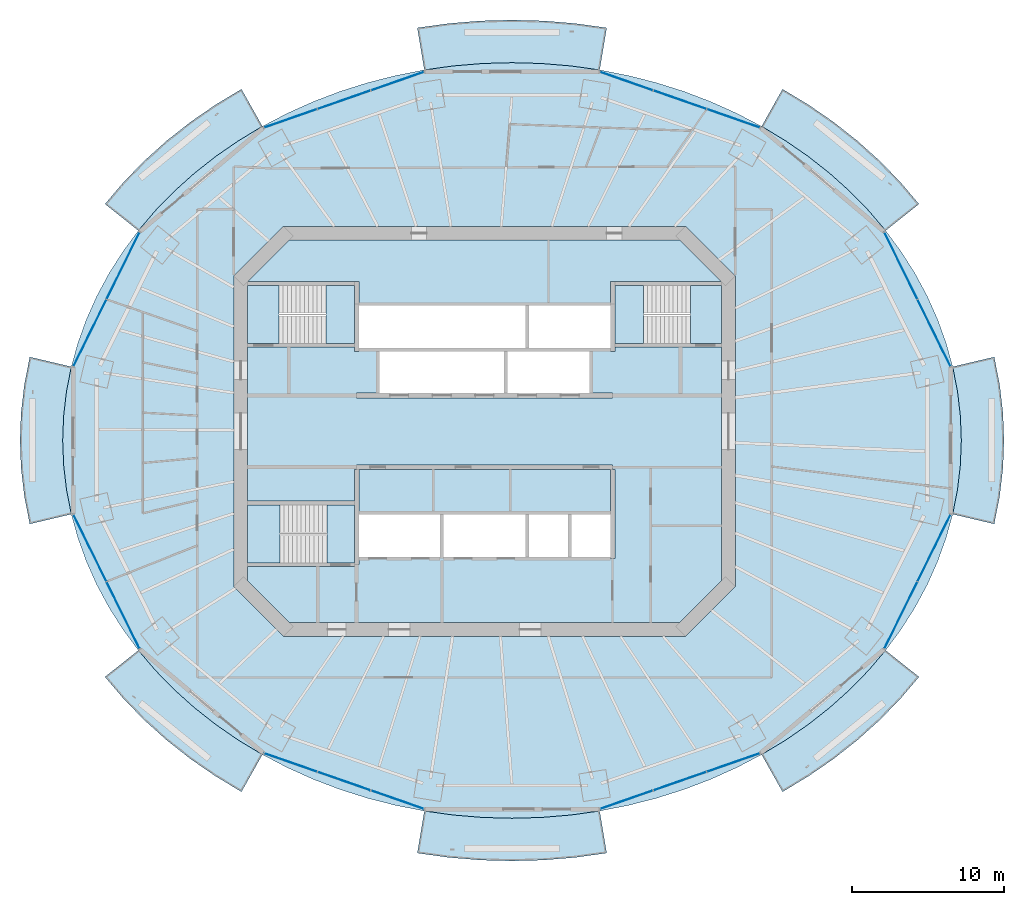
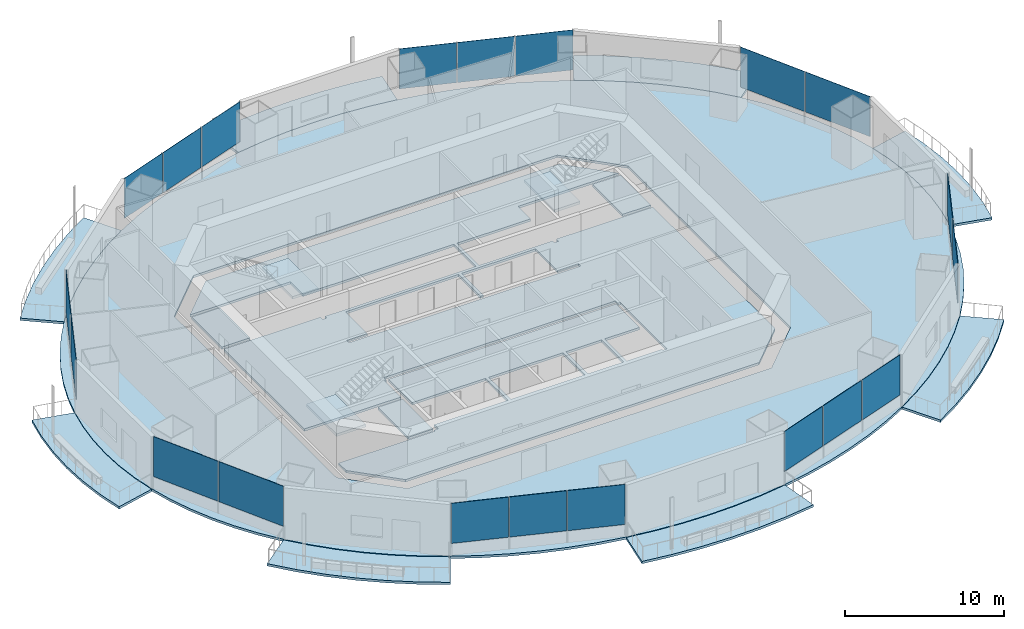
# One storey, part 9 of 18: 20 plates, 16 slabs, 11 elements without a shape of their own.
"""IFC4 building model written with IfcOpenShell, lengths in metres."""

from ifc_helpers import new_model, si_unit, direction, frame, origin, origin_2d, place, context, subcontext, project, spatial, polyline, rectangle, outline, extrude, material, layer, layer_set, type_object, element, aggregate, save


model = new_model("IFC4")

# Units and contexts
model_context = context("Model", 3, precision=1e-05, world=origin(), true_north=direction((0.0, 1.0)))
body_context = subcontext(model_context, "Body", "Model", "MODEL_VIEW")
ifc_project = project(units=[si_unit("LENGTHUNIT", "METRE"), si_unit("AREAUNIT", "SQUARE_METRE"), si_unit("VOLUMEUNIT", "CUBIC_METRE"), si_unit("PLANEANGLEUNIT", "RADIAN"), si_unit("MASSUNIT", "GRAM", prefix="KILO")], contexts=[model_context])

# Site, building, storey
site_placement = place(None, origin())
site = spatial("IfcSite", under=ifc_project, at=site_placement, CompositionType="ELEMENT")
building_placement = place(site_placement, origin())
building = spatial("IfcBuilding", under=site, at=building_placement, Name="Marenthal Gate Tower", CompositionType="ELEMENT")
storey_placement = place(building_placement, frame((0.0, 0.0, 260.64990234375)))
storey = spatial("IfcBuildingStorey", under=building, at=storey_placement, Name="L58", CompositionType="ELEMENT", Elevation=260.64990234375)

# Slabs
ifc_material_1 = material(Name="Concrete 40 MPa", Category="concrete")
ifc_layer_1 = layer(ifc_material_1, 0.179931640625)
ifc_layer_set_1 = layer_set([ifc_layer_1], Name="Balcony deck 180")
slab_type_1 = type_object("IfcSlabType", Name="Balcony deck 180", PredefinedType="USERDEFINED", material=ifc_layer_set_1)
slab_1_placement = place(storey_placement, frame((0.0, 0.0, -0.219970703125)))
element("IfcSlab", 1, at=slab_1_placement, inside=storey, type_object=slab_type_1, Name="Balcony deck L58 bay 2", ObjectType="BALCONY", PredefinedType="USERDEFINED", context=body_context, shape_type="SweptSolid", body=[
    extrude(outline(polyline([(26.3125, 13.17138671875), (25.188720703125, 14.489990234375), (23.965087890625, 15.743896484375), (22.646240234375, 16.927734375), (21.23828125, 18.03662109375), (19.746826171875, 19.065673828125), (18.1787109375, 20.010498046875), (19.55029296875, 22.45166015625), (21.264892578125, 21.41845703125), (22.89990234375, 20.290283203125), (24.4482421875, 19.07080078125), (25.90283203125, 17.76513671875), (27.257080078125, 16.37744140625), (28.504638671875, 14.91357421875), (26.3125, 13.17138671875)])), origin(), (0.0, 0.0, 1.0), 0.18017578125),
])
slab_2_placement = place(storey_placement, frame((0.0, 0.0, -0.219970703125)))
element("IfcSlab", 2, at=slab_2_placement, inside=storey, type_object=slab_type_1, Name="Balcony deck L58 bay 4", ObjectType="BALCONY", PredefinedType="USERDEFINED", context=body_context, shape_type="SweptSolid", body=[
    extrude(outline(polyline([(7.551513671875, 23.711669921875), (5.64794921875, 23.975830078125), (3.72802734375, 24.135009765625), (1.800048828125, 24.18798828125), (-0.128173828125, 24.135009765625), (-2.048095703125, 23.975830078125), (-3.951416015625, 23.711669921875), (-4.413330078125, 26.473388671875), (-2.35595703125, 26.7587890625), (-0.2822265625, 26.9306640625), (1.800048828125, 26.988037109375), (3.882080078125, 26.9306640625), (5.9560546875, 26.7587890625), (8.013427734375, 26.473388671875), (7.551513671875, 23.711669921875)])), origin(), (0.0, 0.0, 1.0), 0.18017578125),
])
slab_3_placement = place(storey_placement, frame((0.0, 0.0, -0.219970703125)))
element("IfcSlab", 3, at=slab_3_placement, inside=storey, type_object=slab_type_1, Name="Balcony deck L58 bay 6", ObjectType="BALCONY", PredefinedType="USERDEFINED", context=body_context, shape_type="SweptSolid", body=[
    extrude(outline(polyline([(-14.578857421875, 20.010498046875), (-16.14697265625, 19.065673828125), (-17.63818359375, 18.03662109375), (-19.046142578125, 16.927734375), (-20.364990234375, 15.743896484375), (-21.5888671875, 14.489990234375), (-22.712646484375, 13.17138671875), (-24.90478515625, 14.91357421875), (-23.656982421875, 16.37744140625), (-22.302734375, 17.76513671875), (-20.84814453125, 19.07080078125), (-19.300048828125, 20.290283203125), (-17.664794921875, 21.41845703125), (-15.9501953125, 22.45166015625), (-14.578857421875, 20.010498046875)])), origin(), (0.0, 0.0, 1.0), 0.18017578125),
])
slab_4_placement = place(storey_placement, frame((0.0, 0.0, -0.219970703125)))
element("IfcSlab", 4, at=slab_4_placement, inside=storey, type_object=slab_type_1, Name="Balcony deck L58 bay 8", ObjectType="BALCONY", PredefinedType="USERDEFINED", context=body_context, shape_type="SweptSolid", body=[
    extrude(outline(polyline([(-27.114501953125, 4.23583984375), (-27.4287109375, 2.635498046875), (-27.617919921875, 1.021240234375), (-27.680908203125, -0.60009765625), (-27.617919921875, -2.22119140625), (-27.4287109375, -3.83544921875), (-27.114501953125, -5.435791015625), (-29.83935546875, -6.08056640625), (-30.195068359375, -4.2685546875), (-30.409423828125, -2.438720703125), (-30.48095703125, -0.60009765625), (-30.409423828125, 1.23876953125), (-30.195068359375, 3.068603515625), (-29.83935546875, 4.880615234375), (-27.114501953125, 4.23583984375)])), origin(), (0.0, 0.0, 1.0), 0.18017578125),
])
slab_5_placement = place(storey_placement, frame((0.0, 0.0, -0.219970703125)))
element("IfcSlab", 5, at=slab_5_placement, inside=storey, type_object=slab_type_1, Name="Balcony deck L58 bay 10", ObjectType="BALCONY", PredefinedType="USERDEFINED", context=body_context, shape_type="SweptSolid", body=[
    extrude(outline(polyline([(-22.712646484375, -14.37158203125), (-21.5888671875, -15.68994140625), (-20.364990234375, -16.94384765625), (-19.046142578125, -18.127685546875), (-17.63818359375, -19.236572265625), (-16.14697265625, -20.265625), (-14.578857421875, -21.21044921875), (-15.9501953125, -23.651611328125), (-17.664794921875, -22.618408203125), (-19.300048828125, -21.490234375), (-20.84814453125, -20.27099609375), (-22.302734375, -18.965087890625), (-23.656982421875, -17.577392578125), (-24.90478515625, -16.113525390625), (-22.712646484375, -14.37158203125)])), origin(), (0.0, 0.0, 1.0), 0.18017578125),
])
slab_6_placement = place(storey_placement, frame((0.0, 0.0, -0.219970703125)))
element("IfcSlab", 6, at=slab_6_placement, inside=storey, type_object=slab_type_1, Name="Balcony deck L58 bay 12", ObjectType="BALCONY", PredefinedType="USERDEFINED", context=body_context, shape_type="SweptSolid", body=[
    extrude(outline(polyline([(-3.951416015625, -24.91162109375), (-2.048095703125, -25.17578125), (-0.128173828125, -25.3349609375), (1.800048828125, -25.387939453125), (3.72802734375, -25.3349609375), (5.64794921875, -25.17578125), (7.551513671875, -24.91162109375), (8.013427734375, -27.67333984375), (5.9560546875, -27.958984375), (3.882080078125, -28.130615234375), (1.800048828125, -28.18798828125), (-0.2822265625, -28.130615234375), (-2.35595703125, -27.958984375), (-4.413330078125, -27.67333984375), (-3.951416015625, -24.91162109375)])), origin(), (0.0, 0.0, 1.0), 0.18017578125),
])
slab_7_placement = place(storey_placement, frame((0.0, 0.0, -0.219970703125)))
element("IfcSlab", 7, at=slab_7_placement, inside=storey, type_object=slab_type_1, Name="Balcony deck L58 bay 14", ObjectType="BALCONY", PredefinedType="USERDEFINED", context=body_context, shape_type="SweptSolid", body=[
    extrude(outline(polyline([(18.1787109375, -21.21044921875), (19.746826171875, -20.265625), (21.23828125, -19.236572265625), (22.646240234375, -18.127685546875), (23.965087890625, -16.94384765625), (25.188720703125, -15.68994140625), (26.3125, -14.37158203125), (28.504638671875, -16.113525390625), (27.257080078125, -17.577392578125), (25.90283203125, -18.965087890625), (24.4482421875, -20.27099609375), (22.89990234375, -21.490234375), (21.264892578125, -22.618408203125), (19.55029296875, -23.651611328125), (18.1787109375, -21.21044921875)])), origin(), (0.0, 0.0, 1.0), 0.18017578125),
])
slab_8_placement = place(storey_placement, frame((0.0, 0.0, -0.219970703125)))
element("IfcSlab", 8, at=slab_8_placement, inside=storey, type_object=slab_type_1, Name="Balcony deck L58 bay 16", ObjectType="BALCONY", PredefinedType="USERDEFINED", context=body_context, shape_type="SweptSolid", body=[
    extrude(outline(polyline([(30.714599609375, -5.435791015625), (31.02880859375, -3.83544921875), (31.218017578125, -2.22119140625), (31.281005859375, -0.60009765625), (31.218017578125, 1.021240234375), (31.02880859375, 2.635498046875), (30.714599609375, 4.23583984375), (33.439208984375, 4.880615234375), (33.795166015625, 3.068603515625), (34.009521484375, 1.23876953125), (34.0810546875, -0.60009765625), (34.009521484375, -2.438720703125), (33.795166015625, -4.2685546875), (33.439208984375, -6.08056640625), (30.714599609375, -5.435791015625)])), origin(), (0.0, 0.0, 1.0), 0.18017578125),
])
ifc_material_2 = material(Name="Concrete 50 MPa", Category="concrete")
ifc_layer_2 = layer(ifc_material_2, 0.179931640625)
ifc_layer_set_2 = layer_set([ifc_layer_2], Name="Core floor slab 180")
slab_type_2 = type_object("IfcSlabType", Name="Core floor slab 180", PredefinedType="FLOOR", material=ifc_layer_set_2)
slab_9_placement = place(storey_placement, frame((0.0, 0.0, -0.179931640625)))
element("IfcSlab", 9, at=slab_9_placement, inside=storey, type_object=slab_type_2, Name="Core floor L58", PredefinedType="FLOOR", context=body_context, shape_type="SweptSolid", body=[
    extrude(outline(polyline([(12.813720703125, -12.550048828125), (-12.813720703125, -12.550048828125), (-15.550048828125, -9.813720703125), (-15.550048828125, -8.875), (-8.550048828125, -8.875), (-8.550048828125, -8.75), (-8.25, -8.75), (-8.25, -8.239990234375), (-5.60009765625, -8.239990234375), (-2.909912109375, -8.239990234375), (-2.909912109375, -5.4599609375), (-5.60009765625, -5.4599609375), (-8.25, -5.4599609375), (-8.25, -2.5), (8.25, -2.5), (8.25, -5.4599609375), (5.7099609375, -5.4599609375), (5.7099609375, -8.239990234375), (8.25, -8.239990234375), (8.25, -8.35009765625), (8.550048828125, -8.35009765625), (8.550048828125, -2.5), (8.39990234375, -2.5), (8.39990234375, -2.199951171875), (-8.39990234375, -2.199951171875), (-8.39990234375, -2.5), (-8.550048828125, -2.5), (-8.550048828125, -4.574951171875), (-15.550048828125, -4.574951171875), (-15.550048828125, 5.52490234375), (-8.550048828125, 5.52490234375), (-8.550048828125, 5.239990234375), (-8.25, 5.239990234375), (-8.25, 5.4599609375), (-5.60009765625, 5.4599609375), (-2.800048828125, 5.4599609375), (0.0, 5.4599609375), (2.68994140625, 5.4599609375), (2.68994140625, 8.239990234375), (0.0, 8.239990234375), (-2.800048828125, 8.239990234375), (-5.60009765625, 8.239990234375), (-8.25, 8.239990234375), (-8.25, 8.35009765625), (-8.25, 9.824951171875), (-8.550048828125, 9.824951171875), (-15.53857421875, 9.824951171875), (-12.813720703125, 12.550048828125), (12.813720703125, 12.550048828125), (15.53857421875, 9.824951171875), (8.550048828125, 9.824951171875), (8.25, 9.824951171875), (8.25, 8.35009765625), (8.25, 8.239990234375), (5.60009765625, 8.239990234375), (2.909912109375, 8.239990234375), (2.909912109375, 5.4599609375), (5.60009765625, 5.4599609375), (8.25, 5.4599609375), (8.25, 5.239990234375), (8.550048828125, 5.239990234375), (8.550048828125, 5.52490234375), (15.550048828125, 5.52490234375), (15.550048828125, -9.813720703125), (12.813720703125, -12.550048828125)]), holes=[polyline([(2.68994140625, -8.239990234375), (2.68994140625, -5.4599609375), (0.0, -5.4599609375), (-2.68994140625, -5.4599609375), (-2.68994140625, -8.239990234375), (0.0, -8.239990234375), (2.68994140625, -8.239990234375)]), polyline([(-6.889892578125, 5.239990234375), (-6.889892578125, 2.5), (-8.39990234375, 2.5), (-8.39990234375, 2.199951171875), (8.39990234375, 2.199951171875), (8.39990234375, 2.5), (6.889892578125, 2.5), (6.889892578125, 5.239990234375), (4.199951171875, 5.239990234375), (1.510009765625, 5.239990234375), (1.510009765625, 2.5), (1.2900390625, 2.5), (1.2900390625, 5.239990234375), (-1.39990234375, 5.239990234375), (-4.199951171875, 5.239990234375), (-6.889892578125, 5.239990234375)]), polyline([(5.489990234375, -5.4599609375), (2.909912109375, -5.4599609375), (2.909912109375, -8.239990234375), (5.489990234375, -8.239990234375), (5.489990234375, -5.4599609375)])]), origin(), (0.0, 0.0, 1.0), 0.179931640625),
])
slab_10_placement = place(storey_placement, frame((0.0, 0.0, -0.179931640625)))
element("IfcSlab", 10, at=slab_10_placement, inside=storey, type_object=slab_type_2, Name="Core floor L58", PredefinedType="FLOOR", context=body_context, shape_type="SweptSolid", body=[
    extrude(outline(polyline([(15.550048828125, 5.77490234375), (13.5, 5.77490234375), (13.5, 9.574951171875), (15.550048828125, 9.574951171875), (15.550048828125, 5.77490234375)])), origin(), (0.0, 0.0, 1.0), 0.179931640625),
])
slab_11_placement = place(storey_placement, frame((0.0, 0.0, -0.179931640625)))
element("IfcSlab", 11, at=slab_11_placement, inside=storey, type_object=slab_type_2, Name="Core floor L58", PredefinedType="FLOOR", context=body_context, shape_type="SweptSolid", body=[
    extrude(outline(polyline([(-15.550048828125, 9.574951171875), (-13.5, 9.574951171875), (-13.5, 5.77490234375), (-15.550048828125, 5.77490234375), (-15.550048828125, 9.574951171875)])), origin(), (0.0, 0.0, 1.0), 0.179931640625),
])
slab_12_placement = place(storey_placement, frame((0.0, 0.0, -0.179931640625)))
element("IfcSlab", 12, at=slab_12_placement, inside=storey, type_object=slab_type_2, Name="Core floor L58", PredefinedType="FLOOR", context=body_context, shape_type="SweptSolid", body=[
    extrude(outline(polyline([(-8.550048828125, -8.625), (-10.35009765625, -8.625), (-10.35009765625, -4.824951171875), (-8.550048828125, -4.824951171875), (-8.550048828125, -8.625)])), origin(), (0.0, 0.0, 1.0), 0.179931640625),
])
ifc_material_3 = material(Name="Concrete 35 MPa", Category="concrete")
ifc_layer_3 = layer(ifc_material_3, 0.179931640625)
ifc_layer_set_3 = layer_set([ifc_layer_3], Name="Floor slab 180")
slab_type_3 = type_object("IfcSlabType", Name="Floor slab 180", PredefinedType="FLOOR", material=ifc_layer_set_3)
slab_13_placement = place(storey_placement, frame((0.0, 0.0, -0.179931640625)))
element("IfcSlab", 13, at=slab_13_placement, inside=storey, type_object=slab_type_3, Name="SL-L58-01", PredefinedType="FLOOR", context=body_context, shape_type="SweptSolid", body=[
    extrude(outline(polyline([(31.281005859375, -0.60009765625), (31.218017578125, 1.021240234375), (31.02880859375, 2.635498046875), (30.714599609375, 4.23583984375), (30.276611328125, 5.815673828125), (29.71630859375, 7.367919921875), (29.036865234375, 8.885986328125), (28.24072265625, 10.363525390625), (27.331298828125, 11.7939453125), (26.3125, 13.17138671875), (25.188720703125, 14.489990234375), (23.965087890625, 15.743896484375), (22.646240234375, 16.927734375), (21.23828125, 18.03662109375), (19.746826171875, 19.065673828125), (18.1787109375, 20.010498046875), (16.54052734375, 20.866943359375), (14.839111328125, 21.631591796875), (13.081787109375, 22.301025390625), (11.2763671875, 22.87255859375), (9.43017578125, 23.343505859375), (7.551513671875, 23.711669921875), (5.64794921875, 23.975830078125), (3.72802734375, 24.135009765625), (1.800048828125, 24.18798828125), (-0.128173828125, 24.135009765625), (-2.048095703125, 23.975830078125), (-3.951416015625, 23.711669921875), (-5.830078125, 23.343505859375), (-7.676513671875, 22.87255859375), (-9.48193359375, 22.301025390625), (-11.239013671875, 21.631591796875), (-12.9404296875, 20.866943359375), (-14.578857421875, 20.010498046875), (-16.14697265625, 19.065673828125), (-17.63818359375, 18.03662109375), (-19.046142578125, 16.927734375), (-20.364990234375, 15.743896484375), (-21.5888671875, 14.489990234375), (-22.712646484375, 13.17138671875), (-23.731201171875, 11.7939453125), (-24.640625, 10.363525390625), (-25.43701171875, 8.885986328125), (-26.116455078125, 7.367919921875), (-26.676513671875, 5.815673828125), (-27.114501953125, 4.23583984375), (-27.4287109375, 2.635498046875), (-27.617919921875, 1.021240234375), (-27.680908203125, -0.60009765625), (-27.617919921875, -2.22119140625), (-27.4287109375, -3.83544921875), (-27.114501953125, -5.435791015625), (-26.676513671875, -7.015625), (-26.116455078125, -8.56787109375), (-25.43701171875, -10.0859375), (-24.640625, -11.5634765625), (-23.731201171875, -12.993896484375), (-22.712646484375, -14.37158203125), (-21.5888671875, -15.68994140625), (-20.364990234375, -16.94384765625), (-19.046142578125, -18.127685546875), (-17.63818359375, -19.236572265625), (-16.14697265625, -20.265625), (-14.578857421875, -21.21044921875), (-12.9404296875, -22.06689453125), (-11.239013671875, -22.831787109375), (-9.48193359375, -23.501220703125), (-7.676513671875, -24.072509765625), (-5.830078125, -24.54345703125), (-3.951416015625, -24.91162109375), (-2.048095703125, -25.17578125), (-0.128173828125, -25.3349609375), (1.800048828125, -25.387939453125), (3.72802734375, -25.3349609375), (5.64794921875, -25.17578125), (7.551513671875, -24.91162109375), (9.43017578125, -24.54345703125), (11.2763671875, -24.072509765625), (13.081787109375, -23.501220703125), (14.839111328125, -22.831787109375), (16.54052734375, -22.06689453125), (18.1787109375, -21.21044921875), (19.746826171875, -20.265625), (21.23828125, -19.236572265625), (22.646240234375, -18.127685546875), (23.965087890625, -16.94384765625), (25.188720703125, -15.68994140625), (26.3125, -14.37158203125), (27.331298828125, -12.993896484375), (28.24072265625, -11.5634765625), (29.036865234375, -10.0859375), (29.71630859375, -8.56787109375), (30.276611328125, -7.015625), (30.714599609375, -5.435791015625), (31.02880859375, -3.83544921875), (31.218017578125, -2.22119140625), (31.281005859375, -0.60009765625)]), holes=[polyline([(13.186279296875, -13.449951171875), (16.449951171875, -10.186279296875), (16.449951171875, 10.186279296875), (13.186279296875, 13.449951171875), (-13.186279296875, 13.449951171875), (-16.449951171875, 10.186279296875), (-16.449951171875, -10.186279296875), (-13.186279296875, -13.449951171875), (13.186279296875, -13.449951171875)])]), origin(), (0.0, 0.0, 1.0), 0.179931640625),
])

# Curtain wall, plates
ifc_material_4 = material(Name="Aluminium and glass", Category="aluminium")
curtain_wall_type = type_object("IfcCurtainWallType", Name="Curtain wall typical mid", PredefinedType="NOTDEFINED", material=ifc_material_4)
curtain_wall_1_placement = place(storey_placement, origin())
curtain_wall_1 = element("IfcCurtainWall", 14, at=curtain_wall_1_placement, inside=storey, type_object=curtain_wall_type, Name="Curtain wall L58 bay 1", PredefinedType="NOTDEFINED")
ifc_material_5 = material(Name="Glass, laminated insulating unit", Category="glass")
ifc_layer_4 = layer(ifc_material_5, 0.030029296875)
ifc_layer_set_4 = layer_set([ifc_layer_4], Name="Glass panel 30 typical mid")
plate_type = type_object("IfcPlateType", Name="Glass panel 30 typical mid", PredefinedType="CURTAIN_PANEL", material=ifc_layer_set_4)
plate_1_placement = place(storey_placement, frame((29.494140625, 6.448974609375, 0.89990234375), z_axis=(0.0, 0.0, 1.0), x_axis=(-0.442191564697, 0.896920632002, 0.0)))
plate_1 = element("IfcPlate", 15, at=plate_1_placement, type_object=plate_type, Name="Glass panel L58 bay 1.1", PredefinedType="CURTAIN_PANEL", context=body_context, shape_type="SweptSolid", body=[
    extrude(rectangle(XDim=4.8671875, YDim=0.030029296875, at=origin_2d()), origin(), (0.0, 0.0, 1.0), 3.070068359375),
])
plate_2_placement = place(storey_placement, frame((27.3154296875, 10.8681640625, 0.89990234375), z_axis=(0.0, 0.0, 1.0), x_axis=(-0.442191564697, 0.896920632002, 0.0)))
plate_2 = element("IfcPlate", 16, at=plate_2_placement, type_object=plate_type, Name="Glass panel L58 bay 1.2", PredefinedType="CURTAIN_PANEL", context=body_context, shape_type="SweptSolid", body=[
    extrude(rectangle(XDim=4.8671875, YDim=0.030029296875, at=origin_2d()), origin(), (0.0, 0.0, 1.0), 3.070068359375),
])
aggregate(curtain_wall_1, [plate_1, plate_2])

curtain_wall_2_placement = place(storey_placement, origin())
curtain_wall_2 = element("IfcCurtainWall", 17, at=curtain_wall_2_placement, inside=storey, type_object=curtain_wall_type, Name="Curtain wall L58 bay 3", PredefinedType="NOTDEFINED")
plate_3_placement = place(storey_placement, frame((16.3291015625, 20.53125, 0.89990234375), z_axis=(0.0, 0.0, 1.0), x_axis=(-0.944444900709, 0.328669787971, 0.0)))
plate_3 = element("IfcPlate", 18, at=plate_3_placement, type_object=plate_type, Name="Glass panel L58 bay 3.1", PredefinedType="CURTAIN_PANEL", context=body_context, shape_type="SweptSolid", body=[
    extrude(rectangle(XDim=3.655517578125, YDim=0.030029296875, at=origin_2d()), origin(), (0.0, 0.0, 1.0), 3.070068359375),
])
plate_4_placement = place(storey_placement, frame((12.820068359375, 21.75244140625, 0.89990234375), z_axis=(0.0, 0.0, 1.0), x_axis=(-0.944444900709, 0.328669787971, 0.0)))
plate_4 = element("IfcPlate", 19, at=plate_4_placement, type_object=plate_type, Name="Glass panel L58 bay 3.2", PredefinedType="CURTAIN_PANEL", context=body_context, shape_type="SweptSolid", body=[
    extrude(rectangle(XDim=3.655517578125, YDim=0.030029296875, at=origin_2d()), origin(), (0.0, 0.0, 1.0), 3.070068359375),
])
plate_5_placement = place(storey_placement, frame((9.310791015625, 22.9736328125, 0.89990234375), z_axis=(0.0, 0.0, 1.0), x_axis=(-0.944444900709, 0.328669787971, 0.0)))
plate_5 = element("IfcPlate", 20, at=plate_5_placement, type_object=plate_type, Name="Glass panel L58 bay 3.3", PredefinedType="CURTAIN_PANEL", context=body_context, shape_type="SweptSolid", body=[
    extrude(rectangle(XDim=3.655517578125, YDim=0.030029296875, at=origin_2d()), origin(), (0.0, 0.0, 1.0), 3.070068359375),
])
aggregate(curtain_wall_2, [plate_3, plate_4, plate_5])

curtain_wall_3_placement = place(storey_placement, origin())
curtain_wall_3 = element("IfcCurtainWall", 21, at=curtain_wall_3_placement, inside=storey, type_object=curtain_wall_type, Name="Curtain wall L58 bay 5", PredefinedType="NOTDEFINED")
plate_6_placement = place(storey_placement, frame((-5.7109375, 22.9736328125, 0.89990234375), z_axis=(0.0, 0.0, 1.0), x_axis=(-0.944444900709, -0.328669787971, 0.0)))
plate_6 = element("IfcPlate", 22, at=plate_6_placement, type_object=plate_type, Name="Glass panel L58 bay 5.1", PredefinedType="CURTAIN_PANEL", context=body_context, shape_type="SweptSolid", body=[
    extrude(rectangle(XDim=3.655517578125, YDim=0.030029296875, at=origin_2d()), origin(), (0.0, 0.0, 1.0), 3.070068359375),
])
plate_7_placement = place(storey_placement, frame((-9.219970703125, 21.75244140625, 0.89990234375), z_axis=(0.0, 0.0, 1.0), x_axis=(-0.944444900709, -0.328669787971, 0.0)))
plate_7 = element("IfcPlate", 23, at=plate_7_placement, type_object=plate_type, Name="Glass panel L58 bay 5.2", PredefinedType="CURTAIN_PANEL", context=body_context, shape_type="SweptSolid", body=[
    extrude(rectangle(XDim=3.655517578125, YDim=0.030029296875, at=origin_2d()), origin(), (0.0, 0.0, 1.0), 3.070068359375),
])
plate_8_placement = place(storey_placement, frame((-12.729248046875, 20.53125, 0.89990234375), z_axis=(0.0, 0.0, 1.0), x_axis=(-0.944444900709, -0.328669787971, 0.0)))
plate_8 = element("IfcPlate", 24, at=plate_8_placement, type_object=plate_type, Name="Glass panel L58 bay 5.3", PredefinedType="CURTAIN_PANEL", context=body_context, shape_type="SweptSolid", body=[
    extrude(rectangle(XDim=3.655517578125, YDim=0.030029296875, at=origin_2d()), origin(), (0.0, 0.0, 1.0), 3.070068359375),
])
aggregate(curtain_wall_3, [plate_6, plate_7, plate_8])

curtain_wall_4_placement = place(storey_placement, origin())
curtain_wall_4 = element("IfcCurtainWall", 25, at=curtain_wall_4_placement, inside=storey, type_object=curtain_wall_type, Name="Curtain wall L58 bay 7", PredefinedType="NOTDEFINED")
plate_9_placement = place(storey_placement, frame((-23.71533203125, 10.8681640625, 0.89990234375), z_axis=(0.0, 0.0, 1.0), x_axis=(-0.442191564697, -0.896920632002, 0.0)))
plate_9 = element("IfcPlate", 26, at=plate_9_placement, type_object=plate_type, Name="Glass panel L58 bay 7.1", PredefinedType="CURTAIN_PANEL", context=body_context, shape_type="SweptSolid", body=[
    extrude(rectangle(XDim=4.8671875, YDim=0.030029296875, at=origin_2d()), origin(), (0.0, 0.0, 1.0), 3.070068359375),
])
plate_10_placement = place(storey_placement, frame((-25.894287109375, 6.448974609375, 0.89990234375), z_axis=(0.0, 0.0, 1.0), x_axis=(-0.442191564697, -0.896920632002, 0.0)))
plate_10 = element("IfcPlate", 27, at=plate_10_placement, type_object=plate_type, Name="Glass panel L58 bay 7.2", PredefinedType="CURTAIN_PANEL", context=body_context, shape_type="SweptSolid", body=[
    extrude(rectangle(XDim=4.8671875, YDim=0.030029296875, at=origin_2d()), origin(), (0.0, 0.0, 1.0), 3.070068359375),
])
aggregate(curtain_wall_4, [plate_9, plate_10])

curtain_wall_5_placement = place(storey_placement, origin())
curtain_wall_5 = element("IfcCurtainWall", 28, at=curtain_wall_5_placement, inside=storey, type_object=curtain_wall_type, Name="Curtain wall L58 bay 9", PredefinedType="NOTDEFINED")
plate_11_placement = place(storey_placement, frame((-25.894287109375, -7.64892578125, 0.89990234375), z_axis=(0.0, 0.0, 1.0), x_axis=(0.442191564697, -0.896920632002, 0.0)))
plate_11 = element("IfcPlate", 29, at=plate_11_placement, type_object=plate_type, Name="Glass panel L58 bay 9.1", PredefinedType="CURTAIN_PANEL", context=body_context, shape_type="SweptSolid", body=[
    extrude(rectangle(XDim=4.8671875, YDim=0.030029296875, at=origin_2d()), origin(), (0.0, 0.0, 1.0), 3.070068359375),
])
plate_12_placement = place(storey_placement, frame((-23.71533203125, -12.068359375, 0.89990234375), z_axis=(0.0, 0.0, 1.0), x_axis=(0.442191564697, -0.896920632002, 0.0)))
plate_12 = element("IfcPlate", 30, at=plate_12_placement, type_object=plate_type, Name="Glass panel L58 bay 9.2", PredefinedType="CURTAIN_PANEL", context=body_context, shape_type="SweptSolid", body=[
    extrude(rectangle(XDim=4.8671875, YDim=0.030029296875, at=origin_2d()), origin(), (0.0, 0.0, 1.0), 3.070068359375),
])
aggregate(curtain_wall_5, [plate_11, plate_12])

curtain_wall_6_placement = place(storey_placement, origin())
curtain_wall_6 = element("IfcCurtainWall", 31, at=curtain_wall_6_placement, inside=storey, type_object=curtain_wall_type, Name="Curtain wall L58 bay 11", PredefinedType="NOTDEFINED")
plate_13_placement = place(storey_placement, frame((-12.729248046875, -21.731201171875, 0.89990234375), z_axis=(0.0, 0.0, 1.0), x_axis=(0.944444900709, -0.328669787971, 0.0)))
plate_13 = element("IfcPlate", 32, at=plate_13_placement, type_object=plate_type, Name="Glass panel L58 bay 11.1", PredefinedType="CURTAIN_PANEL", context=body_context, shape_type="SweptSolid", body=[
    extrude(rectangle(XDim=3.655517578125, YDim=0.030029296875, at=origin_2d()), origin(), (0.0, 0.0, 1.0), 3.070068359375),
])
plate_14_placement = place(storey_placement, frame((-9.219970703125, -22.952392578125, 0.89990234375), z_axis=(0.0, 0.0, 1.0), x_axis=(0.944444900709, -0.328669787971, 0.0)))
plate_14 = element("IfcPlate", 33, at=plate_14_placement, type_object=plate_type, Name="Glass panel L58 bay 11.2", PredefinedType="CURTAIN_PANEL", context=body_context, shape_type="SweptSolid", body=[
    extrude(rectangle(XDim=3.655517578125, YDim=0.030029296875, at=origin_2d()), origin(), (0.0, 0.0, 1.0), 3.070068359375),
])
plate_15_placement = place(storey_placement, frame((-5.7109375, -24.173583984375, 0.89990234375), z_axis=(0.0, 0.0, 1.0), x_axis=(0.944444900709, -0.328669787971, 0.0)))
plate_15 = element("IfcPlate", 34, at=plate_15_placement, type_object=plate_type, Name="Glass panel L58 bay 11.3", PredefinedType="CURTAIN_PANEL", context=body_context, shape_type="SweptSolid", body=[
    extrude(rectangle(XDim=3.655517578125, YDim=0.030029296875, at=origin_2d()), origin(), (0.0, 0.0, 1.0), 3.070068359375),
])
aggregate(curtain_wall_6, [plate_13, plate_14, plate_15])

curtain_wall_7_placement = place(storey_placement, origin())
curtain_wall_7 = element("IfcCurtainWall", 35, at=curtain_wall_7_placement, inside=storey, type_object=curtain_wall_type, Name="Curtain wall L58 bay 13", PredefinedType="NOTDEFINED")
plate_16_placement = place(storey_placement, frame((9.31103515625, -24.173583984375, 0.89990234375), z_axis=(0.0, 0.0, 1.0), x_axis=(0.944444900709, 0.328669787971, 0.0)))
plate_16 = element("IfcPlate", 36, at=plate_16_placement, type_object=plate_type, Name="Glass panel L58 bay 13.1", PredefinedType="CURTAIN_PANEL", context=body_context, shape_type="SweptSolid", body=[
    extrude(rectangle(XDim=3.655517578125, YDim=0.030029296875, at=origin_2d()), origin(), (0.0, 0.0, 1.0), 3.070068359375),
])
plate_17_placement = place(storey_placement, frame((12.820068359375, -22.952392578125, 0.89990234375), z_axis=(0.0, 0.0, 1.0), x_axis=(0.944444900709, 0.328669787971, 0.0)))
plate_17 = element("IfcPlate", 37, at=plate_17_placement, type_object=plate_type, Name="Glass panel L58 bay 13.2", PredefinedType="CURTAIN_PANEL", context=body_context, shape_type="SweptSolid", body=[
    extrude(rectangle(XDim=3.655517578125, YDim=0.030029296875, at=origin_2d()), origin(), (0.0, 0.0, 1.0), 3.070068359375),
])
plate_18_placement = place(storey_placement, frame((16.3291015625, -21.731201171875, 0.89990234375), z_axis=(0.0, 0.0, 1.0), x_axis=(0.944444900709, 0.328669787971, 0.0)))
plate_18 = element("IfcPlate", 38, at=plate_18_placement, type_object=plate_type, Name="Glass panel L58 bay 13.3", PredefinedType="CURTAIN_PANEL", context=body_context, shape_type="SweptSolid", body=[
    extrude(rectangle(XDim=3.655517578125, YDim=0.030029296875, at=origin_2d()), origin(), (0.0, 0.0, 1.0), 3.070068359375),
])
aggregate(curtain_wall_7, [plate_16, plate_17, plate_18])

curtain_wall_8_placement = place(storey_placement, origin())
curtain_wall_8 = element("IfcCurtainWall", 39, at=curtain_wall_8_placement, inside=storey, type_object=curtain_wall_type, Name="Curtain wall L58 bay 15", PredefinedType="NOTDEFINED")
plate_19_placement = place(storey_placement, frame((27.3154296875, -12.068359375, 0.89990234375), z_axis=(0.0, 0.0, 1.0), x_axis=(0.442191564697, 0.896920632002, 0.0)))
plate_19 = element("IfcPlate", 40, at=plate_19_placement, type_object=plate_type, Name="Glass panel L58 bay 15.1", PredefinedType="CURTAIN_PANEL", context=body_context, shape_type="SweptSolid", body=[
    extrude(rectangle(XDim=4.8671875, YDim=0.030029296875, at=origin_2d()), origin(), (0.0, 0.0, 1.0), 3.070068359375),
])
plate_20_placement = place(storey_placement, frame((29.494140625, -7.64892578125, 0.89990234375), z_axis=(0.0, 0.0, 1.0), x_axis=(0.442191564697, 0.896920632002, 0.0)))
plate_20 = element("IfcPlate", 41, at=plate_20_placement, type_object=plate_type, Name="Glass panel L58 bay 15.2", PredefinedType="CURTAIN_PANEL", context=body_context, shape_type="SweptSolid", body=[
    extrude(rectangle(XDim=4.8671875, YDim=0.030029296875, at=origin_2d()), origin(), (0.0, 0.0, 1.0), 3.070068359375),
])
aggregate(curtain_wall_8, [plate_19, plate_20])

# Stair, slab
ifc_material_6 = material(Name="Concrete 40 MPa", Category="concrete")
stair_type = type_object("IfcStairType", Name="Exit stair 1800", PredefinedType="HALF_TURN_STAIR", material=ifc_material_6)
stair_1_placement = place(storey_placement, origin())
stair_1 = element("IfcStair", 42, at=stair_1_placement, inside=storey, type_object=stair_type, Name="Stair ST1", PredefinedType="HALF_TURN_STAIR")
ifc_material_7 = material(Name="Concrete 40 MPa", Category="concrete")
ifc_layer_5 = layer(ifc_material_7, 0.199951171875)
ifc_layer_set_5 = layer_set([ifc_layer_5], Name="Stair landing 200")
slab_type_4 = type_object("IfcSlabType", Name="Stair landing 200", PredefinedType="LANDING", material=ifc_layer_set_5)
slab_14_placement = place(storey_placement, frame((0.0, 0.0, 1.875)))
slab_14 = element("IfcSlab", 43, at=slab_14_placement, type_object=slab_type_4, Name="ST1 landing 1", PredefinedType="LANDING", context=body_context, shape_type="SweptSolid", body=[
    extrude(outline(polyline([(-10.419921875, 5.77490234375), (-8.550048828125, 5.77490234375), (-8.550048828125, 9.574951171875), (-10.419921875, 9.574951171875), (-10.419921875, 5.77490234375)])), origin(), (0.0, 0.0, 1.0), 0.2001953125),
])
aggregate(stair_1, [slab_14])

stair_2_placement = place(storey_placement, origin())
stair_2 = element("IfcStair", 44, at=stair_2_placement, inside=storey, type_object=stair_type, Name="Stair ST2", PredefinedType="HALF_TURN_STAIR")
slab_15_placement = place(storey_placement, frame((0.0, 0.0, 1.875)))
slab_15 = element("IfcSlab", 45, at=slab_15_placement, type_object=slab_type_4, Name="ST2 landing 1", PredefinedType="LANDING", context=body_context, shape_type="SweptSolid", body=[
    extrude(outline(polyline([(-15.550048828125, -8.625), (-13.429931640625, -8.625), (-13.429931640625, -4.824951171875), (-15.550048828125, -4.824951171875), (-15.550048828125, -8.625)])), origin(), (0.0, 0.0, 1.0), 0.2001953125),
])
aggregate(stair_2, [slab_15])

stair_3_placement = place(storey_placement, origin())
stair_3 = element("IfcStair", 46, at=stair_3_placement, inside=storey, type_object=stair_type, Name="Stair ST3", PredefinedType="HALF_TURN_STAIR")
slab_16_placement = place(storey_placement, frame((0.0, 0.0, 1.875)))
slab_16 = element("IfcSlab", 47, at=slab_16_placement, type_object=slab_type_4, Name="ST3 landing 1", PredefinedType="LANDING", context=body_context, shape_type="SweptSolid", body=[
    extrude(outline(polyline([(8.550048828125, 5.77490234375), (10.419921875, 5.77490234375), (10.419921875, 9.574951171875), (8.550048828125, 9.574951171875), (8.550048828125, 5.77490234375)])), origin(), (0.0, 0.0, 1.0), 0.2001953125),
])
aggregate(stair_3, [slab_16])

save(model, "model.ifc")
